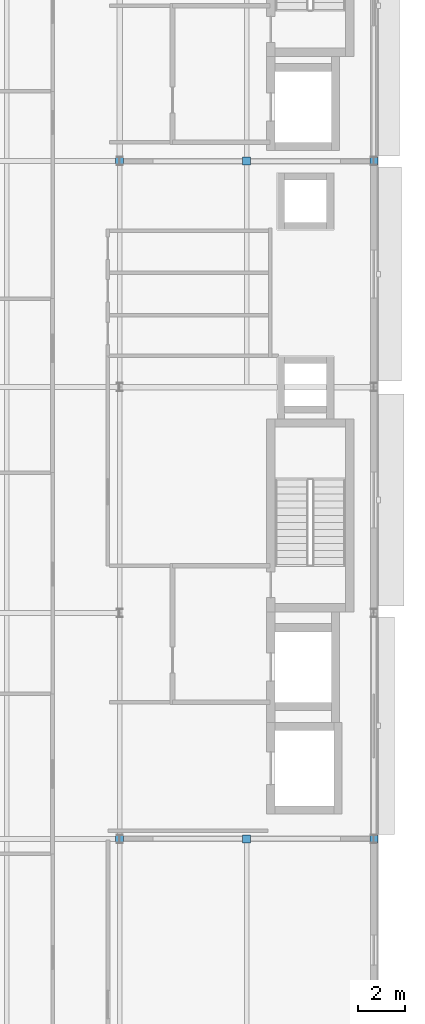
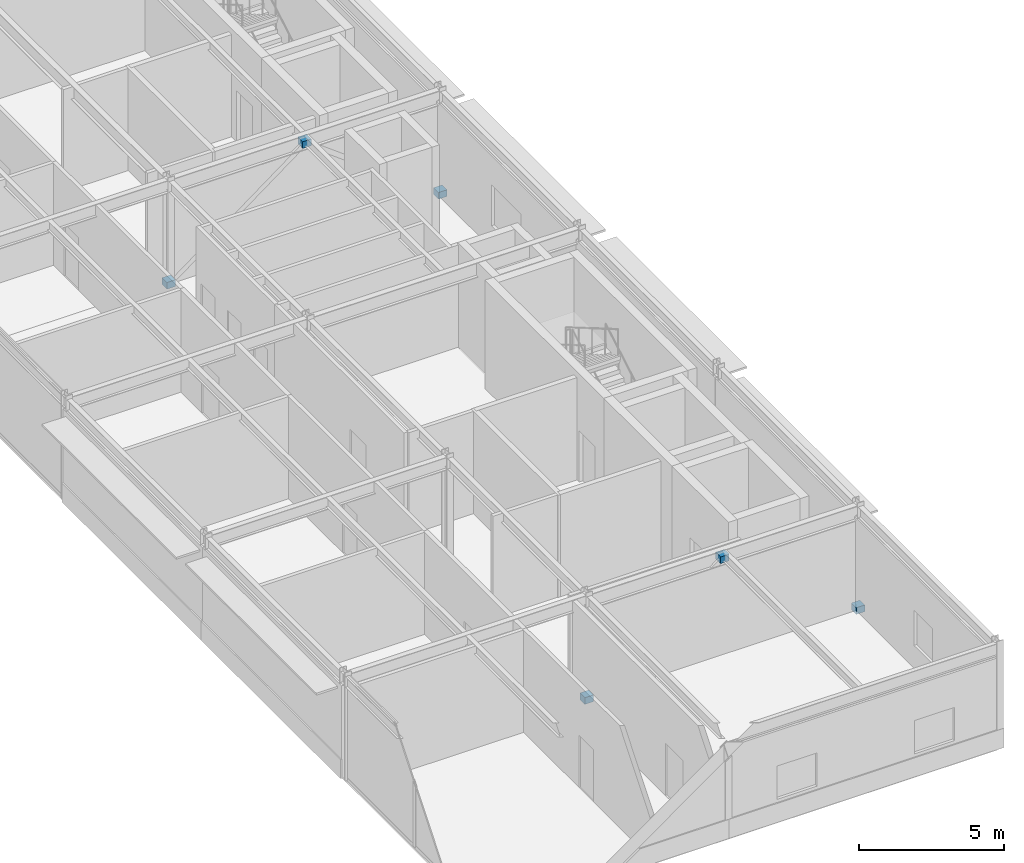
# One storey, part 13 of 22: 6 plates.
"""IFC4 building model written with IfcOpenShell, lengths in metres."""

from ifc_helpers import new_model, si_unit, direction, frame, origin, origin_2d, place, context, subcontext, project, spatial, rectangle, extrude, material, layer, layer_set, type_object, element, save


model = new_model("IFC4")

# Units and contexts
model_context = context("Model", 3, precision=1e-05, world=origin(), true_north=direction((0.0, 1.0)))
body_context = subcontext(model_context, "Body", "Model", "MODEL_VIEW")
ifc_project = project(units=[si_unit("LENGTHUNIT", "METRE"), si_unit("AREAUNIT", "SQUARE_METRE"), si_unit("VOLUMEUNIT", "CUBIC_METRE"), si_unit("PLANEANGLEUNIT", "RADIAN"), si_unit("MASSUNIT", "GRAM", prefix="KILO")], contexts=[model_context])

# Site, building, storey
site_placement = place(None, origin())
site = spatial("IfcSite", under=ifc_project, at=site_placement, CompositionType="ELEMENT")
building_placement = place(site_placement, origin())
building = spatial("IfcBuilding", under=site, at=building_placement, Name="Almandine Court Research Institute", CompositionType="ELEMENT")
storey_placement = place(building_placement, frame((0.0, 0.0, 28.0)))
storey = spatial("IfcBuildingStorey", under=building, at=storey_placement, Name="L06", CompositionType="ELEMENT", Elevation=28.0)

# Plates
ifc_material = material(Name="Steel ASTM A36", Category="steel")
ifc_layer = layer(ifc_material, 0.280029296875)
ifc_layer_set = layer_set([ifc_layer], Name="Steel ASTM A36")
plate_type = type_object("IfcPlateType", Name="Plate-NPI-03", PredefinedType="SHEET", material=ifc_layer_set)
for number, where, z_axis, x_axis, name in (
    (1, (163.199951171875, 15.60009765625, -0.1201171875), (0.0, 0.0, 1.0), (1.0, 0.0, 0.0), "L06 Seismic Brace Gusset Cap Plate V4-BF1-BL"),
    (2, (174.0, 15.60009765625, -0.1201171875), (0.0, 0.0, 1.0), (1.0, 0.0, 0.0), "L06 Seismic Brace Gusset Cap Plate V4-BF1-BR"),
    (3, (168.60009765625, 15.60009765625, 3.91015625), (0.0, 0.0, 1.0), (1.0, 0.0, 0.0), "L06 Seismic Brace Gusset Cap Plate V4-BF1-AP"),
    (4, (163.199951171875, 44.39990234375, -0.1201171875), (0.0, 0.0, 1.0), (1.0, 0.0, 0.0), "L06 Seismic Brace Gusset Cap Plate V4-BF2-BL"),
    (5, (174.0, 44.39990234375, -0.1201171875), (0.0, 0.0, 1.0), (1.0, 0.0, 0.0), "L06 Seismic Brace Gusset Cap Plate V4-BF2-BR"),
    (6, (168.60009765625, 44.39990234375, 3.91015625), (0.0, 0.0, 1.0), (1.0, 0.0, 0.0), "L06 Seismic Brace Gusset Cap Plate V4-BF2-AP"),
):
    element("IfcPlate", number, at=place(storey_placement, frame(where, z_axis=z_axis, x_axis=x_axis)), inside=storey, type_object=plate_type, Name=name, PredefinedType="SHEET", context=body_context, shape_type="SweptSolid", body=[
        extrude(rectangle(XDim=0.340087890625, YDim=0.340087890625, at=origin_2d()), origin(), (0.0, 0.0, 1.0), 0.280029296875),
    ])

save(model, "model.ifc")
